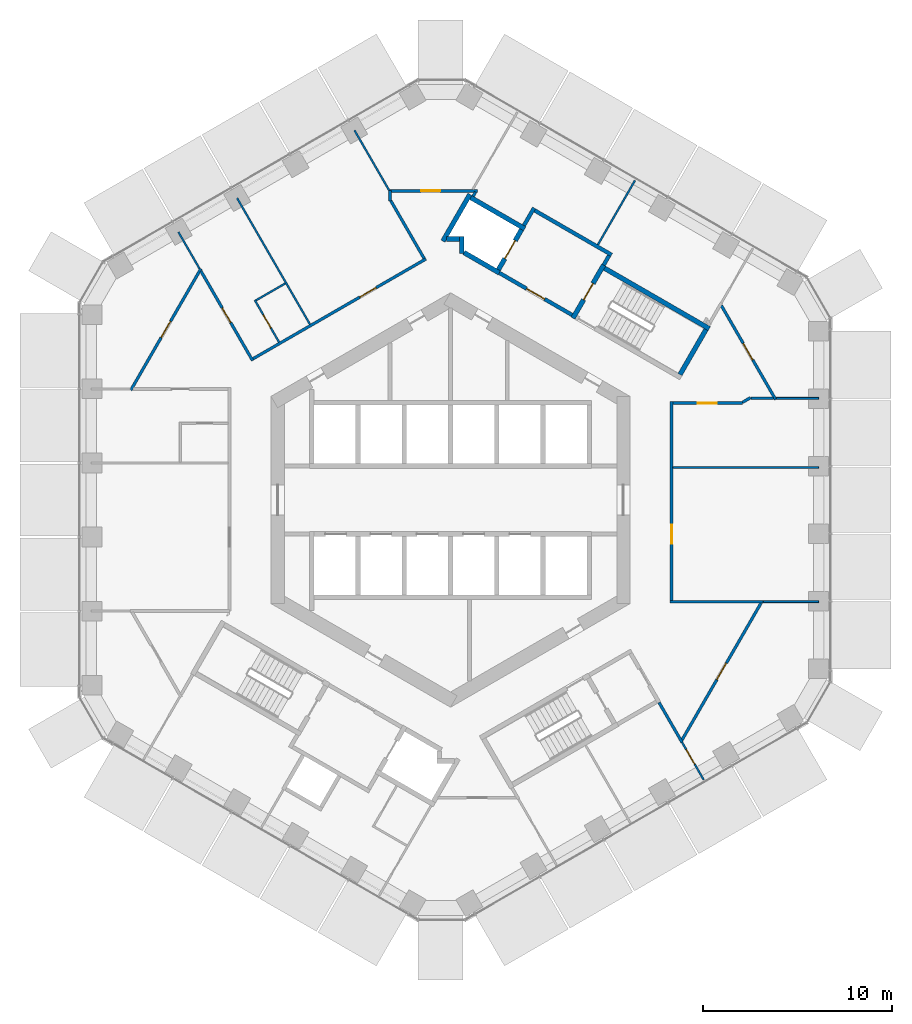
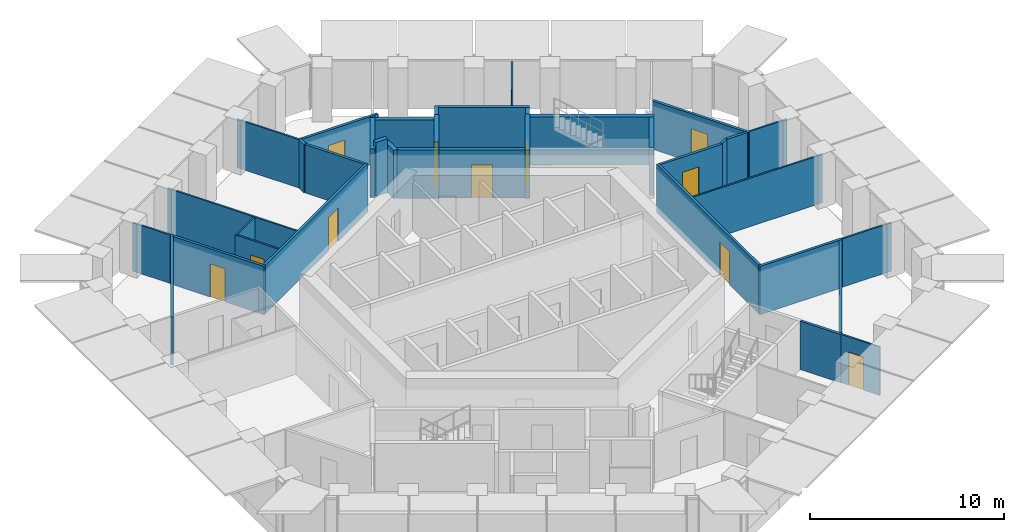
# One storey, part 14 of 18: 38 walls, 13 doors, 13 openings.
"""IFC4 building model written with IfcOpenShell, lengths in metres."""

from ifc_helpers import new_model, si_unit, direction, frame, frame_2d, origin, place, context, subcontext, project, spatial, rectangle, extrude, material, layer, layer_set, type_object, element, fill, save


model = new_model("IFC4")

# Units and contexts
model_context = context("Model", 3, precision=1e-05, world=origin(), true_north=direction((0.0, 1.0)))
body_context = subcontext(model_context, "Body", "Model", "MODEL_VIEW")
ifc_project = project(units=[si_unit("LENGTHUNIT", "METRE"), si_unit("AREAUNIT", "SQUARE_METRE"), si_unit("VOLUMEUNIT", "CUBIC_METRE"), si_unit("PLANEANGLEUNIT", "RADIAN"), si_unit("MASSUNIT", "GRAM", prefix="KILO")], contexts=[model_context])

# Site, building, storey
site_placement = place(None, origin())
site = spatial("IfcSite", under=ifc_project, at=site_placement, CompositionType="ELEMENT")
building_placement = place(site_placement, origin())
building = spatial("IfcBuilding", under=site, at=building_placement, Name="Ayvan Gate Tower", CompositionType="ELEMENT")
storey_placement = place(building_placement, frame((0.0, 0.0, 110.300048828125)))
storey = spatial("IfcBuildingStorey", under=building, at=storey_placement, Name="L29", CompositionType="ELEMENT", Elevation=110.300048828125)

# Wall, opening, door
ifc_material_1 = material(Name="Plasterboard on steel stud", Category="steel")
ifc_layer_1 = layer(ifc_material_1, 0.14990234375)
ifc_layer_set_1 = layer_set([ifc_layer_1], Name="Plasterboard on steel stud")
wall_type_1 = type_object("IfcWallType", Name="WT-CORR-150", PredefinedType="PARTITIONING", material=ifc_layer_set_1)
wall_1_placement = place(storey_placement, frame((-16.924072265625, 5.810302734375, 0.0), z_axis=(0.0, 0.0, 1.0), x_axis=(0.500008780733, 0.866020334166, 0.0)))
wall_1 = element("IfcWall", 1, at=wall_1_placement, inside=storey, type_object=wall_type_1, Name="IW-L29-002", PredefinedType="PARTITIONING", context=body_context, shape_type="SweptSolid", body=[
    extrude(rectangle(XDim=7.429931640625, YDim=0.14990234375, at=frame_2d((3.71484375, 0.0))), origin(), (0.0, 0.0, 1.0), 3.050048828125),
])
opening_1_placement = place(wall_1_placement, frame((3.215087890625, 0.0, 0.0)))
opening_1 = element("IfcOpeningElement", 2, at=opening_1_placement, cuts=wall_1, Name="Opening L29-D23", PredefinedType="OPENING", context=body_context, shape_type="SweptSolid", body=[
    extrude(rectangle(XDim=1.0, YDim=2.10009765625, at=frame_2d((0.5, 1.050048828125))), frame((0.0, 0.0849609375, 0.0), z_axis=(0.0, -1.0, 0.0), x_axis=(1.0, 0.0, 0.0)), (0.0, 0.0, 1.0), 0.169921875),
])
ifc_material_2 = material(Name="Timber door leaf", Category="wood")
door_type_1 = type_object("IfcDoorType", Name="DT-1000", OperationType="NOTDEFINED", PredefinedType="DOOR", material=ifc_material_2)
door_1_placement = place(opening_1_placement, origin())
door_1 = element("IfcDoor", 3, at=door_1_placement, inside=storey, type_object=door_type_1, Name="ID-L29-023", OperationType="SINGLE_SWING_RIGHT", OverallHeight=2.10009765625, OverallWidth=1.0, PredefinedType="DOOR", context=body_context, shape_type="SweptSolid", body=[
    extrude(rectangle(XDim=1.0, YDim=2.10009765625, at=frame_2d((0.5, 1.050048828125))), frame((0.0, 0.02490234375, 0.0), z_axis=(0.0, -1.0, 0.0), x_axis=(1.0, 0.0, 0.0)), (0.0, 0.0, 1.0), 0.050048828125),
])
fill(opening_1, door_1)

wall_2_placement = place(storey_placement, frame((-13.208984375, 12.114990234375, 0.0), z_axis=(0.0, 0.0, 1.0), x_axis=(0.499992837287, -0.866029539139, 0.0)))
wall_2 = element("IfcWall", 4, at=wall_2_placement, inside=storey, type_object=wall_type_1, Name="IW-L29-011", PredefinedType="PARTITIONING", context=body_context, shape_type="SweptSolid", body=[
    extrude(rectangle(XDim=5.47119140625, YDim=0.14990234375, at=frame_2d((2.735595703125, 0.0))), origin(), (0.0, 0.0, 1.0), 3.050048828125),
])
opening_2_placement = place(wall_2_placement, frame((2.248291015625, 0.0, 0.0)))
opening_2 = element("IfcOpeningElement", 5, at=opening_2_placement, cuts=wall_2, Name="Opening L29-D36", PredefinedType="OPENING", context=body_context, shape_type="SweptSolid", body=[
    extrude(rectangle(XDim=0.89990234375, YDim=2.10009765625, at=frame_2d((0.449951171875, 1.050048828125))), frame((0.0, 0.0849609375, 0.0), z_axis=(0.0, -1.0, 0.0), x_axis=(1.0, 0.0, 0.0)), (0.0, 0.0, 1.0), 0.169921875),
])
door_type_2 = type_object("IfcDoorType", Name="DT-900", OperationType="NOTDEFINED", PredefinedType="DOOR", material=ifc_material_2)
door_2_placement = place(opening_2_placement, origin())
door_2 = element("IfcDoor", 6, at=door_2_placement, inside=storey, type_object=door_type_2, Name="ID-L29-036", OperationType="SINGLE_SWING_LEFT", OverallHeight=2.10009765625, OverallWidth=0.89990234375, PredefinedType="DOOR", context=body_context, shape_type="SweptSolid", body=[
    extrude(rectangle(XDim=0.89990234375, YDim=2.10009765625, at=frame_2d((0.449951171875, 1.050048828125))), frame((0.0, 0.02490234375, 0.0), z_axis=(0.0, -1.0, 0.0), x_axis=(1.0, 0.0, 0.0)), (0.0, 0.0, 1.0), 0.050048828125),
])
fill(opening_2, door_2)

wall_3_placement = place(storey_placement, frame((-10.44580078125, 7.47900390625, 0.0), z_axis=(0.0, 0.0, 1.0), x_axis=(0.866020092673, 0.500009199002, 0.0)))
wall_3 = element("IfcWall", 7, at=wall_3_placement, inside=storey, type_object=wall_type_1, Name="IW-L29-016", PredefinedType="PARTITIONING", context=body_context, shape_type="SweptSolid", body=[
    extrude(rectangle(XDim=10.563720703125, YDim=0.14990234375, at=frame_2d((5.28173828125, 0.0))), origin(), (0.0, 0.0, 1.0), 3.050048828125),
])
opening_3_placement = place(wall_3_placement, frame((6.515869140625, 0.0, 0.0)))
opening_3 = element("IfcOpeningElement", 8, at=opening_3_placement, cuts=wall_3, Name="Opening L29-D35", PredefinedType="OPENING", context=body_context, shape_type="SweptSolid", body=[
    extrude(rectangle(XDim=1.0, YDim=2.10009765625, at=frame_2d((0.5, 1.050048828125))), frame((0.0, 0.0849609375, 0.0), z_axis=(0.0, -1.0, 0.0), x_axis=(1.0, 0.0, 0.0)), (0.0, 0.0, 1.0), 0.169921875),
])
door_3_placement = place(opening_3_placement, origin())
door_3 = element("IfcDoor", 9, at=door_3_placement, inside=storey, type_object=door_type_1, Name="ID-L29-035", OperationType="SINGLE_SWING_RIGHT", OverallHeight=2.10009765625, OverallWidth=1.0, PredefinedType="DOOR", context=body_context, shape_type="SweptSolid", body=[
    extrude(rectangle(XDim=1.0, YDim=2.10009765625, at=frame_2d((0.5, 1.050048828125))), frame((0.0, 0.02490234375, 0.0), z_axis=(0.0, -1.0, 0.0), x_axis=(1.0, 0.0, 0.0)), (0.0, 0.0, 1.0), 0.050048828125),
])
fill(opening_3, door_3)

# Wall
wall_4_placement = place(storey_placement, frame((-3.199951171875, 15.831298828125, 0.0), z_axis=(0.0, 0.0, 1.0), x_axis=(0.0, 1.0, 0.0)))
element("IfcWall", 10, at=wall_4_placement, inside=storey, type_object=wall_type_1, Name="IW-L29-044", PredefinedType="PARTITIONING", context=body_context, shape_type="SweptSolid", body=[
    extrude(rectangle(XDim=0.5498046875, YDim=0.14990234375, at=frame_2d((0.27490234375, 0.0))), origin(), (0.0, 0.0, 1.0), 3.050048828125),
])

# Wall, opening, door
wall_5_placement = place(storey_placement, frame((-3.199951171875, 16.36279296875, 0.0), z_axis=(0.0, 0.0, 1.0), x_axis=(1.0, 0.0, 0.0)))
wall_5 = element("IfcWall", 11, at=wall_5_placement, inside=storey, type_object=wall_type_1, Name="IW-L29-046", PredefinedType="PARTITIONING", context=body_context, shape_type="SweptSolid", body=[
    extrude(rectangle(XDim=4.63916015625, YDim=0.14990234375, at=frame_2d((2.319580078125, 0.0))), origin(), (0.0, 0.0, 1.0), 3.050048828125),
])
opening_4_placement = place(wall_5_placement, frame((1.650390625, 0.0, 0.0)))
opening_4 = element("IfcOpeningElement", 12, at=opening_4_placement, cuts=wall_5, Name="Opening L29-D21", PredefinedType="OPENING", context=body_context, shape_type="SweptSolid", body=[
    extrude(rectangle(XDim=1.0, YDim=2.10009765625, at=frame_2d((0.5, 1.050048828125))), frame((0.0, 0.0849609375, 0.0), z_axis=(0.0, -1.0, 0.0), x_axis=(1.0, 0.0, 0.0)), (0.0, 0.0, 1.0), 0.169921875),
])
door_4_placement = place(opening_4_placement, origin())
door_4 = element("IfcDoor", 13, at=door_4_placement, inside=storey, type_object=door_type_1, Name="ID-L29-021", OperationType="SINGLE_SWING_RIGHT", OverallHeight=2.10009765625, OverallWidth=1.0, PredefinedType="DOOR", context=body_context, shape_type="SweptSolid", body=[
    extrude(rectangle(XDim=1.0, YDim=2.10009765625, at=frame_2d((0.5, 1.050048828125))), frame((0.0, 0.02490234375, 0.0), z_axis=(0.0, -1.0, 0.0), x_axis=(1.0, 0.0, 0.0)), (0.0, 0.0, 1.0), 0.050048828125),
])
fill(opening_4, door_4)

# Walls
wall_6_placement = place(storey_placement, frame((-1.39990234375, 12.788330078125, 0.0), z_axis=(0.0, 0.0, 1.0), x_axis=(-0.500012199891, 0.86601836006, 0.0)))
element("IfcWall", 14, at=wall_6_placement, inside=storey, type_object=wall_type_1, Name="IW-L29-053", PredefinedType="PARTITIONING", context=body_context, shape_type="SweptSolid", body=[
    extrude(rectangle(XDim=3.525390625, YDim=0.14990234375, at=frame_2d((1.7626953125, 0.0))), origin(), (0.0, 0.0, 1.0), 3.050048828125),
])
wall_7_placement = place(storey_placement, frame((1.32666015625, 16.2978515625, 0.0), z_axis=(0.0, 0.0, 1.0), x_axis=(-0.500502949238, -0.865734831114, 0.0)))
element("IfcWall", 15, at=wall_7_placement, inside=storey, type_object=wall_type_1, Name="IW-L29-065", PredefinedType="PARTITIONING", context=body_context, shape_type="SweptSolid", body=[
    extrude(rectangle(XDim=0.252685546875, YDim=0.14990234375, at=frame_2d((0.12646484375, 0.0))), origin(), (0.0, 0.0, 1.0), 3.050048828125),
])
wall_8_placement = place(storey_placement, frame((11.625, -5.3818359375, 0.0), z_axis=(0.0, 0.0, 1.0), x_axis=(1.0, 0.0, 0.0)))
element("IfcWall", 16, at=wall_8_placement, inside=storey, type_object=wall_type_1, Name="IW-L29-096", PredefinedType="PARTITIONING", context=body_context, shape_type="SweptSolid", body=[
    extrude(rectangle(XDim=4.9287109375, YDim=0.14990234375, at=frame_2d((2.46435546875, 0.0))), origin(), (0.0, 0.0, 1.0), 3.050048828125),
])

# Wall, opening, door
wall_9_placement = place(storey_placement, frame((11.699951171875, -5.306884765625, 0.0), z_axis=(0.0, 0.0, 1.0), x_axis=(0.0, 1.0, 0.0)))
wall_9 = element("IfcWall", 17, at=wall_9_placement, inside=storey, type_object=wall_type_1, Name="IW-L29-097", PredefinedType="PARTITIONING", context=body_context, shape_type="SweptSolid", body=[
    extrude(rectangle(XDim=10.513671875, YDim=0.14990234375, at=frame_2d((5.2568359375, 0.0))), origin(), (0.0, 0.0, 1.0), 3.050048828125),
])
opening_5_placement = place(wall_9_placement, frame((2.99951171875, 0.0, 0.0)))
opening_5 = element("IfcOpeningElement", 18, at=opening_5_placement, cuts=wall_9, Name="Opening L29-D17", PredefinedType="OPENING", context=body_context, shape_type="SweptSolid", body=[
    extrude(rectangle(XDim=1.0, YDim=2.10009765625, at=frame_2d((0.5, 1.050048828125))), frame((0.0, 0.0849609375, 0.0), z_axis=(0.0, -1.0, 0.0), x_axis=(1.0, 0.0, 0.0)), (0.0, 0.0, 1.0), 0.169921875),
])
door_5_placement = place(opening_5_placement, origin())
door_5 = element("IfcDoor", 19, at=door_5_placement, inside=storey, type_object=door_type_1, Name="ID-L29-017", OperationType="SINGLE_SWING_RIGHT", OverallHeight=2.10009765625, OverallWidth=1.0, PredefinedType="DOOR", context=body_context, shape_type="SweptSolid", body=[
    extrude(rectangle(XDim=1.0, YDim=2.10009765625, at=frame_2d((0.5, 1.050048828125))), frame((0.0, 0.02490234375, 0.0), z_axis=(0.0, -1.0, 0.0), x_axis=(1.0, 0.0, 0.0)), (0.0, 0.0, 1.0), 0.050048828125),
])
fill(opening_5, door_5)

# Wall
wall_10_placement = place(storey_placement, frame((12.25537109375, -12.82666015625, 0.0), z_axis=(0.0, 0.0, 1.0), x_axis=(-0.500008743658, 0.866020355572, 0.0)))
element("IfcWall", 20, at=wall_10_placement, inside=storey, type_object=wall_type_1, Name="IW-L29-100", PredefinedType="PARTITIONING", context=body_context, shape_type="SweptSolid", body=[
    extrude(rectangle(XDim=2.43603515625, YDim=0.14990234375, at=frame_2d((1.218017578125, 0.0))), origin(), (0.0, 0.0, 1.0), 3.050048828125),
])

# Wall, opening, door
wall_11_placement = place(storey_placement, frame((14.333740234375, 10.296875, 0.0), z_axis=(0.0, 0.0, 1.0), x_axis=(0.500006661652, -0.866021557644, 0.0)))
wall_11 = element("IfcWall", 21, at=wall_11_placement, inside=storey, type_object=wall_type_1, Name="IW-L29-107", PredefinedType="PARTITIONING", context=body_context, shape_type="SweptSolid", body=[
    extrude(rectangle(XDim=5.75048828125, YDim=0.14990234375, at=frame_2d((2.875244140625, 0.0))), origin(), (0.0, 0.0, 1.0), 3.050048828125),
])
opening_6_placement = place(wall_11_placement, frame((2.3203125, 0.0, 0.0)))
opening_6 = element("IfcOpeningElement", 22, at=opening_6_placement, cuts=wall_11, Name="Opening L29-D19", PredefinedType="OPENING", context=body_context, shape_type="SweptSolid", body=[
    extrude(rectangle(XDim=1.0, YDim=2.10009765625, at=frame_2d((0.5, 1.050048828125))), frame((0.0, 0.0849609375, 0.0), z_axis=(0.0, -1.0, 0.0), x_axis=(1.0, 0.0, 0.0)), (0.0, 0.0, 1.0), 0.169921875),
])
door_6_placement = place(opening_6_placement, origin())
door_6 = element("IfcDoor", 23, at=door_6_placement, inside=storey, type_object=door_type_1, Name="ID-L29-019", OperationType="SINGLE_SWING_RIGHT", OverallHeight=2.10009765625, OverallWidth=1.0, PredefinedType="DOOR", context=body_context, shape_type="SweptSolid", body=[
    extrude(rectangle(XDim=1.0, YDim=2.10009765625, at=frame_2d((0.5, 1.050048828125))), frame((0.0, 0.02490234375, 0.0), z_axis=(0.0, -1.0, 0.0), x_axis=(1.0, 0.0, 0.0)), (0.0, 0.0, 1.0), 0.050048828125),
])
fill(opening_6, door_6)

wall_12_placement = place(storey_placement, frame((15.463623046875, 5.1318359375, 0.0), z_axis=(0.0, 0.0, 1.0), x_axis=(-1.0, 0.0, 0.0)))
wall_12 = element("IfcWall", 24, at=wall_12_placement, inside=storey, type_object=wall_type_1, Name="IW-L29-108", PredefinedType="PARTITIONING", context=body_context, shape_type="SweptSolid", body=[
    extrude(rectangle(XDim=3.688720703125, YDim=0.14990234375, at=frame_2d((1.84423828125, 0.0))), origin(), (0.0, 0.0, 1.0), 3.050048828125),
])
opening_7_placement = place(wall_12_placement, frame((1.3818359375, 0.0, 0.0)))
opening_7 = element("IfcOpeningElement", 25, at=opening_7_placement, cuts=wall_12, Name="Opening L29-D18", PredefinedType="OPENING", context=body_context, shape_type="SweptSolid", body=[
    extrude(rectangle(XDim=1.0, YDim=2.10009765625, at=frame_2d((0.5, 1.050048828125))), frame((0.0, 0.0849609375, 0.0), z_axis=(0.0, -1.0, 0.0), x_axis=(1.0, 0.0, 0.0)), (0.0, 0.0, 1.0), 0.169921875),
])
door_7_placement = place(opening_7_placement, origin())
door_7 = element("IfcDoor", 26, at=door_7_placement, inside=storey, type_object=door_type_1, Name="ID-L29-018", OperationType="SINGLE_SWING_LEFT", OverallHeight=2.10009765625, OverallWidth=1.0, PredefinedType="DOOR", context=body_context, shape_type="SweptSolid", body=[
    extrude(rectangle(XDim=1.0, YDim=2.10009765625, at=frame_2d((0.5, 1.050048828125))), frame((0.0, 0.02490234375, 0.0), z_axis=(0.0, -1.0, 0.0), x_axis=(1.0, 0.0, 0.0)), (0.0, 0.0, 1.0), 0.050048828125),
])
fill(opening_7, door_7)

# Wall
wall_13_placement = place(storey_placement, frame((15.88671875, 5.419189453125, 0.0), z_axis=(0.0, 0.0, 1.0), x_axis=(-0.866071776036, -0.499919672301, 0.0)))
element("IfcWall", 27, at=wall_13_placement, inside=storey, type_object=wall_type_1, Name="IW-L29-109", PredefinedType="PARTITIONING", context=body_context, shape_type="SweptSolid", body=[
    extrude(rectangle(XDim=0.5, YDim=0.14990234375, at=frame_2d((0.25, 0.0))), origin(), (0.0, 0.0, 1.0), 3.050048828125),
])

# Wall, opening, door
wall_14_placement = place(storey_placement, frame((16.441162109375, -5.44677734375, 0.0), z_axis=(0.0, 0.0, 1.0), x_axis=(-0.500000140117, -0.866025322888, 0.0)))
wall_14 = element("IfcWall", 28, at=wall_14_placement, inside=storey, type_object=wall_type_1, Name="IW-L29-110", PredefinedType="PARTITIONING", context=body_context, shape_type="SweptSolid", body=[
    extrude(rectangle(XDim=8.37158203125, YDim=0.14990234375, at=frame_2d((4.185791015625, 0.0))), origin(), (0.0, 0.0, 1.0), 3.050048828125),
])
opening_8_placement = place(wall_14_placement, frame((3.685791015625, 0.0, 0.0)))
opening_8 = element("IfcOpeningElement", 29, at=opening_8_placement, cuts=wall_14, Name="Opening L29-D33", PredefinedType="OPENING", context=body_context, shape_type="SweptSolid", body=[
    extrude(rectangle(XDim=1.0, YDim=2.10009765625, at=frame_2d((0.5, 1.050048828125))), frame((0.0, 0.0849609375, 0.0), z_axis=(0.0, -1.0, 0.0), x_axis=(1.0, 0.0, 0.0)), (0.0, 0.0, 1.0), 0.169921875),
])
door_8_placement = place(opening_8_placement, origin())
door_8 = element("IfcDoor", 30, at=door_8_placement, inside=storey, type_object=door_type_1, Name="ID-L29-033", OperationType="SINGLE_SWING_RIGHT", OverallHeight=2.10009765625, OverallWidth=1.0, PredefinedType="DOOR", context=body_context, shape_type="SweptSolid", body=[
    extrude(rectangle(XDim=1.0, YDim=2.10009765625, at=frame_2d((0.5, 1.050048828125))), frame((0.0, 0.02490234375, 0.0), z_axis=(0.0, -1.0, 0.0), x_axis=(1.0, 0.0, 0.0)), (0.0, 0.0, 1.0), 0.050048828125),
])
fill(opening_8, door_8)

# Walls
wall_15_placement = place(storey_placement, frame((17.096435546875, 5.3818359375, 0.0), z_axis=(0.0, 0.0, 1.0), x_axis=(-1.0, 0.0, 0.0)))
element("IfcWall", 31, at=wall_15_placement, inside=storey, type_object=wall_type_1, Name="IW-L29-112", PredefinedType="PARTITIONING", context=body_context, shape_type="SweptSolid", body=[
    extrude(rectangle(XDim=1.199951171875, YDim=0.14990234375, at=frame_2d((0.60009765625, 0.0))), origin(), (0.0, 0.0, 1.0), 3.050048828125),
])
ifc_layer_2 = layer(ifc_material_1, 0.10009765625)
ifc_layer_set_2 = layer_set([ifc_layer_2], Name="Plasterboard on steel stud")
wall_type_2 = type_object("IfcWallType", Name="WT-PART-100", PredefinedType="PARTITIONING", material=ifc_layer_set_2)
wall_16_placement = place(storey_placement, frame((-14.403564453125, 14.18408203125, 0.0), z_axis=(0.0, 0.0, 1.0), x_axis=(0.500008734195, -0.866020361036, 0.0)))
element("IfcWall", 32, at=wall_16_placement, inside=storey, type_object=wall_type_2, Name="IW-L29-004", PredefinedType="PARTITIONING", context=body_context, shape_type="SweptSolid", body=[
    extrude(rectangle(XDim=2.2392578125, YDim=0.10009765625, at=frame_2d((1.11962890625, 0.0))), origin(), (0.0, 0.0, 1.0), 3.050048828125),
])

# Wall, opening, door
wall_17_placement = place(storey_placement, frame((-10.363525390625, 10.58642578125, 0.0), z_axis=(0.0, 0.0, 1.0), x_axis=(0.499963209246, -0.866046643894, 0.0)))
wall_17 = element("IfcWall", 33, at=wall_17_placement, inside=storey, type_object=wall_type_2, Name="IW-L29-017", PredefinedType="PARTITIONING", context=body_context, shape_type="SweptSolid", body=[
    extrude(rectangle(XDim=2.574951171875, YDim=0.10009765625, at=frame_2d((1.28759765625, 0.0))), origin(), (0.0, 0.0, 1.0), 3.050048828125),
])
opening_9_placement = place(wall_17_placement, frame((0.91259765625, 0.0, 0.0)))
opening_9 = element("IfcOpeningElement", 34, at=opening_9_placement, cuts=wall_17, Name="Opening L29-D37", PredefinedType="OPENING", context=body_context, shape_type="SweptSolid", body=[
    extrude(rectangle(XDim=0.800048828125, YDim=2.10009765625, at=frame_2d((0.39990234375, 1.050048828125))), frame((0.0, 0.06005859375, 0.0), z_axis=(0.0, -1.0, 0.0), x_axis=(1.0, 0.0, 0.0)), (0.0, 0.0, 1.0), 0.1201171875),
])
door_type_3 = type_object("IfcDoorType", Name="DT-800", OperationType="NOTDEFINED", PredefinedType="DOOR", material=ifc_material_2)
door_9_placement = place(opening_9_placement, origin())
door_9 = element("IfcDoor", 35, at=door_9_placement, inside=storey, type_object=door_type_3, Name="ID-L29-037", OperationType="SINGLE_SWING_RIGHT", OverallHeight=2.10009765625, OverallWidth=0.800048828125, PredefinedType="DOOR", context=body_context, shape_type="SweptSolid", body=[
    extrude(rectangle(XDim=0.800048828125, YDim=2.10009765625, at=frame_2d((0.39990234375, 1.050048828125))), frame((0.0, 0.02490234375, 0.0), z_axis=(0.0, -1.0, 0.0), x_axis=(1.0, 0.0, 0.0)), (0.0, 0.0, 1.0), 0.050048828125),
])
fill(opening_9, door_9)

# Walls
wall_18_placement = place(storey_placement, frame((-8.746826171875, 11.462158203125, 0.0), z_axis=(0.0, 0.0, 1.0), x_axis=(-0.866033252409, -0.499986405537, 0.0)))
element("IfcWall", 36, at=wall_18_placement, inside=storey, type_object=wall_type_2, Name="IW-L29-020", PredefinedType="PARTITIONING", context=body_context, shape_type="SweptSolid", body=[
    extrude(rectangle(XDim=1.7880859375, YDim=0.10009765625, at=frame_2d((0.89404296875, 0.0))), origin(), (0.0, 0.0, 1.0), 3.050048828125),
])
wall_19_placement = place(storey_placement, frame((-11.29638671875, 15.97802734375, 0.0), z_axis=(0.0, 0.0, 1.0), x_axis=(0.499997453958, -0.866026873738, 0.0)))
element("IfcWall", 37, at=wall_19_placement, inside=storey, type_object=wall_type_2, Name="IW-L29-021", PredefinedType="PARTITIONING", context=body_context, shape_type="SweptSolid", body=[
    extrude(rectangle(XDim=7.71044921875, YDim=0.10009765625, at=frame_2d((3.855224609375, 0.0))), origin(), (0.0, 0.0, 1.0), 3.050048828125),
])
wall_20_placement = place(storey_placement, frame((-3.232177734375, 16.36181640625, 0.0), z_axis=(0.0, 0.0, 1.0), x_axis=(-0.499992827086, 0.866029545028, 0.0)))
element("IfcWall", 38, at=wall_20_placement, inside=storey, type_object=wall_type_2, Name="IW-L29-042", PredefinedType="PARTITIONING", context=body_context, shape_type="SweptSolid", body=[
    extrude(rectangle(XDim=3.69970703125, YDim=0.10009765625, at=frame_2d((1.849853515625, 0.0))), origin(), (0.0, 0.0, 1.0), 3.050048828125),
])
wall_21_placement = place(storey_placement, frame((7.800048828125, 13.510009765625, 0.0), z_axis=(0.0, 0.0, 1.0), x_axis=(0.499985832843, 0.866033583042, 0.0)))
element("IfcWall", 39, at=wall_21_placement, inside=storey, type_object=wall_type_2, Name="IW-L29-090", PredefinedType="PARTITIONING", context=body_context, shape_type="SweptSolid", body=[
    extrude(rectangle(XDim=3.931640625, YDim=0.10009765625, at=frame_2d((1.9658203125, 0.0))), origin(), (0.0, 0.0, 1.0), 3.050048828125),
])
wall_22_placement = place(storey_placement, frame((11.77490234375, 1.72216796875, 0.0), z_axis=(0.0, 0.0, 1.0), x_axis=(1.0, 0.0, 0.0)))
element("IfcWall", 40, at=wall_22_placement, inside=storey, type_object=wall_type_2, Name="IW-L29-098", PredefinedType="PARTITIONING", context=body_context, shape_type="SweptSolid", body=[
    extrude(rectangle(XDim=7.710693359375, YDim=0.10009765625, at=frame_2d((3.85546875, 0.0))), origin(), (0.0, 0.0, 1.0), 3.050048828125),
])

# Wall, opening, door
wall_23_placement = place(storey_placement, frame((13.4033203125, -14.81494140625, 0.0), z_axis=(0.0, 0.0, 1.0), x_axis=(-0.500004737999, 0.866022668282, 0.0)))
wall_23 = element("IfcWall", 41, at=wall_23_placement, inside=storey, type_object=wall_type_2, Name="IW-L29-101", PredefinedType="PARTITIONING", context=body_context, shape_type="SweptSolid", body=[
    extrude(rectangle(XDim=2.2958984375, YDim=0.10009765625, at=frame_2d((1.14794921875, 0.0))), origin(), (0.0, 0.0, 1.0), 3.050048828125),
])
opening_10_placement = place(wall_23_placement, frame((0.95849609375, 0.0, 0.0)))
opening_10 = element("IfcOpeningElement", 42, at=opening_10_placement, cuts=wall_23, Name="Opening L29-D34", PredefinedType="OPENING", context=body_context, shape_type="SweptSolid", body=[
    extrude(rectangle(XDim=0.89990234375, YDim=2.10009765625, at=frame_2d((0.449951171875, 1.050048828125))), frame((0.0, 0.06005859375, 0.0), z_axis=(0.0, -1.0, 0.0), x_axis=(1.0, 0.0, 0.0)), (0.0, 0.0, 1.0), 0.1201171875),
])
door_10_placement = place(opening_10_placement, origin())
door_10 = element("IfcDoor", 43, at=door_10_placement, inside=storey, type_object=door_type_2, Name="ID-L29-034", OperationType="SINGLE_SWING_LEFT", OverallHeight=2.10009765625, OverallWidth=0.89990234375, PredefinedType="DOOR", context=body_context, shape_type="SweptSolid", body=[
    extrude(rectangle(XDim=0.89990234375, YDim=2.10009765625, at=frame_2d((0.449951171875, 1.050048828125))), frame((0.0, 0.02490234375, 0.0), z_axis=(0.0, -1.0, 0.0), x_axis=(1.0, 0.0, 0.0)), (0.0, 0.0, 1.0), 0.050048828125),
])
fill(opening_10, door_10)

# Walls
wall_24_placement = place(storey_placement, frame((17.246337890625, 5.3818359375, 0.0), z_axis=(0.0, 0.0, 1.0), x_axis=(1.0, 0.0, 0.0)))
element("IfcWall", 44, at=wall_24_placement, inside=storey, type_object=wall_type_2, Name="IW-L29-111", PredefinedType="PARTITIONING", context=body_context, shape_type="SweptSolid", body=[
    extrude(rectangle(XDim=2.2392578125, YDim=0.10009765625, at=frame_2d((1.11962890625, 0.0))), origin(), (0.0, 0.0, 1.0), 3.050048828125),
])
wall_25_placement = place(storey_placement, frame((19.485595703125, -5.3818359375, 0.0), z_axis=(0.0, 0.0, 1.0), x_axis=(-1.0, 0.0, 0.0)))
element("IfcWall", 45, at=wall_25_placement, inside=storey, type_object=wall_type_2, Name="IW-L29-113", PredefinedType="PARTITIONING", context=body_context, shape_type="SweptSolid", body=[
    extrude(rectangle(XDim=2.931884765625, YDim=0.10009765625, at=frame_2d((1.4658203125, 0.0))), origin(), (0.0, 0.0, 1.0), 3.050048828125),
])
ifc_layer_3 = layer(ifc_material_1, 0.199951171875)
ifc_layer_set_3 = layer_set([ifc_layer_3], Name="Plasterboard on steel stud")
wall_type_3 = type_object("IfcWallType", Name="WT-RATED-200", PredefinedType="PARTITIONING", material=ifc_layer_set_3)
wall_26_placement = place(storey_placement, frame((3.885009765625, 14.52880859375, 0.0), z_axis=(0.0, 0.0, 1.0), x_axis=(0.499997628298, 0.866026773083, 0.0)))
element("IfcWall", 46, at=wall_26_placement, inside=storey, type_object=wall_type_3, Name="IW-L29-077", PredefinedType="PARTITIONING", context=body_context, shape_type="SweptSolid", body=[
    extrude(rectangle(XDim=1.0751953125, YDim=0.199951171875, at=frame_2d((0.53759765625, 0.0))), origin(), (0.0, 0.0, 1.0), 3.050048828125),
])
wall_27_placement = place(storey_placement, frame((4.458984375, 15.323486328125, 0.0), z_axis=(0.0, 0.0, 1.0), x_axis=(0.866016039709, -0.500016218704, 0.0)))
element("IfcWall", 47, at=wall_27_placement, inside=storey, type_object=wall_type_3, Name="IW-L29-078", PredefinedType="PARTITIONING", context=body_context, shape_type="SweptSolid", body=[
    extrude(rectangle(XDim=4.699951171875, YDim=0.199951171875, at=frame_2d((2.35009765625, 0.0))), origin(), (0.0, 0.0, 1.0), 3.050048828125),
])

# Wall, opening, door
wall_28_placement = place(storey_placement, frame((6.4345703125, 9.794921875, 0.0), z_axis=(0.0, 0.0, 1.0), x_axis=(-0.866012907634, 0.500021643343, 0.0)))
wall_28 = element("IfcWall", 48, at=wall_28_placement, inside=storey, type_object=wall_type_3, Name="IW-L29-081", PredefinedType="PARTITIONING", context=body_context, shape_type="SweptSolid", body=[
    extrude(rectangle(XDim=4.449951171875, YDim=0.199951171875, at=frame_2d((2.22509765625, 0.0))), origin(), (0.0, 0.0, 1.0), 3.050048828125),
])
opening_11_placement = place(wall_28_placement, frame((1.675048828125, 0.0, 0.0)))
opening_11 = element("IfcOpeningElement", 49, at=opening_11_placement, cuts=wall_28, Name="Opening L29-D08", PredefinedType="OPENING", context=body_context, shape_type="SweptSolid", body=[
    extrude(rectangle(XDim=1.10009765625, YDim=2.10009765625, at=frame_2d((0.550048828125, 1.050048828125))), frame((0.0, 0.10986328125, 0.0), z_axis=(0.0, -1.0, 0.0), x_axis=(1.0, 0.0, 0.0)), (0.0, 0.0, 1.0), 0.219970703125),
])
door_type_4 = type_object("IfcDoorType", Name="DT-1100", OperationType="NOTDEFINED", PredefinedType="DOOR", material=ifc_material_2)
door_11_placement = place(opening_11_placement, origin())
door_11 = element("IfcDoor", 50, at=door_11_placement, inside=storey, type_object=door_type_4, Name="ID-L29-008", OperationType="SINGLE_SWING_LEFT", OverallHeight=2.10009765625, OverallWidth=1.10009765625, PredefinedType="DOOR", context=body_context, shape_type="SweptSolid", body=[
    extrude(rectangle(XDim=1.10009765625, YDim=2.10009765625, at=frame_2d((0.550048828125, 1.050048828125))), frame((0.0, 0.02490234375, 0.0), z_axis=(0.0, -1.0, 0.0), x_axis=(1.0, 0.0, 0.0)), (0.0, 0.0, 1.0), 0.050048828125),
])
fill(opening_11, door_11)

# Walls
wall_29_placement = place(storey_placement, frame((8.392822265625, 12.936767578125, 0.0), z_axis=(0.0, 0.0, 1.0), x_axis=(-0.500065409566, -0.86598763626, 0.0)))
element("IfcWall", 51, at=wall_29_placement, inside=storey, type_object=wall_type_3, Name="IW-L29-092", PredefinedType="PARTITIONING", context=body_context, shape_type="SweptSolid", body=[
    extrude(rectangle(XDim=0.5751953125, YDim=0.199951171875, at=frame_2d((0.28759765625, 0.0))), origin(), (0.0, 0.0, 1.0), 3.050048828125),
])
ifc_material_3 = material(Name="Concrete C50/60", Category="concrete")
ifc_layer_4 = layer(ifc_material_3, 0.25)
ifc_layer_set_4 = layer_set([ifc_layer_4], Name="Concrete C50/60")
wall_type_4 = type_object("IfcWallType", Name="WT-RC-250", PredefinedType="SHEAR", material=ifc_layer_set_4)
wall_30_placement = place(storey_placement, frame((-0.403076171875, 13.70166015625, 0.0), z_axis=(0.0, 0.0, 1.0), x_axis=(0.499976111731, 0.866039195244, 0.0)))
element("IfcWall", 52, at=wall_30_placement, inside=storey, type_object=wall_type_4, Name="IW-L29-057", PredefinedType="SHEAR", context=body_context, shape_type="SweptSolid", body=[
    extrude(rectangle(XDim=2.860595703125, YDim=0.25, at=frame_2d((1.43017578125, 0.0))), origin(), (0.0, 0.0, 1.0), 3.050048828125),
])
wall_31_placement = place(storey_placement, frame((0.60009765625, 13.03857421875, 0.0), z_axis=(0.0, 0.0, 1.0), x_axis=(0.0, 1.0, 0.0)))
element("IfcWall", 53, at=wall_31_placement, inside=storey, type_object=wall_type_4, Name="IW-L29-061", PredefinedType="SHEAR", context=body_context, shape_type="SweptSolid", body=[
    extrude(rectangle(XDim=0.896484375, YDim=0.25, at=frame_2d((0.4482421875, 0.0))), origin(), (0.0, 0.0, 1.0), 3.050048828125),
])
wall_32_placement = place(storey_placement, frame((0.47509765625, 13.81005859375, 0.0), z_axis=(0.0, 0.0, 1.0), x_axis=(-1.0, 0.0, 0.0)))
element("IfcWall", 54, at=wall_32_placement, inside=storey, type_object=wall_type_4, Name="IW-L29-062", PredefinedType="SHEAR", context=body_context, shape_type="SweptSolid", body=[
    extrude(rectangle(XDim=0.690673828125, YDim=0.25, at=frame_2d((0.34521484375, 0.0))), origin(), (0.0, 0.0, 1.0), 3.39990234375),
])
wall_33_placement = place(storey_placement, frame((1.072998046875, 16.00830078125, 0.0), z_axis=(0.0, 0.0, 1.0), x_axis=(0.866040211805, -0.499974350878, 0.0)))
element("IfcWall", 55, at=wall_33_placement, inside=storey, type_object=wall_type_4, Name="IW-L29-063", PredefinedType="SHEAR", context=body_context, shape_type="SweptSolid", body=[
    extrude(rectangle(XDim=3.300048828125, YDim=0.25, at=frame_2d((1.64990234375, 0.0))), origin(), (0.0, 0.0, 1.0), 3.050048828125),
])
wall_34_placement = place(storey_placement, frame((2.580810546875, 12.02001953125, 0.0), z_axis=(0.0, 0.0, 1.0), x_axis=(-0.86603892542, 0.499976579108, 0.0)))
element("IfcWall", 56, at=wall_34_placement, inside=storey, type_object=wall_type_4, Name="IW-L29-069", PredefinedType="SHEAR", context=body_context, shape_type="SweptSolid", body=[
    extrude(rectangle(XDim=2.162109375, YDim=0.25, at=frame_2d((1.0810546875, 0.0))), origin(), (0.0, 0.0, 1.0), 3.050048828125),
])

# Wall, opening, door
wall_35_placement = place(storey_placement, frame((2.534912109375, 12.19091796875, 0.0), z_axis=(0.0, 0.0, 1.0), x_axis=(0.500061746146, 0.865989751695, 0.0)))
wall_35 = element("IfcWall", 57, at=wall_35_placement, inside=storey, type_object=wall_type_4, Name="IW-L29-070", PredefinedType="SHEAR", context=body_context, shape_type="SweptSolid", body=[
    extrude(rectangle(XDim=2.449951171875, YDim=0.25, at=frame_2d((1.22509765625, 0.0))), origin(), (0.0, 0.0, 1.0), 3.39990234375),
])
opening_12_placement = place(wall_35_placement, frame((0.675048828125, 0.0, 0.0)))
opening_12 = element("IfcOpeningElement", 58, at=opening_12_placement, cuts=wall_35, Name="Opening L29-LD-FF1", PredefinedType="OPENING", context=body_context, shape_type="SweptSolid", body=[
    extrude(rectangle(XDim=1.10009765625, YDim=2.10009765625, at=frame_2d((0.550048828125, 1.050048828125))), frame((0.0, 0.135009765625, 0.0), z_axis=(0.0, -1.0, 0.0), x_axis=(1.0, 0.0, 0.0)), (0.0, 0.0, 1.0), 0.27001953125),
])
ifc_material_4 = material(Name="Stainless steel landing door", Category="steel")
door_type_5 = type_object("IfcDoorType", Name="DT-LANDING-1100", OperationType="SLIDING_TO_LEFT", PredefinedType="DOOR", material=ifc_material_4)
door_12_placement = place(opening_12_placement, origin())
door_12 = element("IfcDoor", 59, at=door_12_placement, inside=storey, type_object=door_type_5, Name="ID-L29-009", OperationType="SLIDING_TO_LEFT", OverallHeight=2.10009765625, OverallWidth=1.10009765625, PredefinedType="DOOR", context=body_context, shape_type="SweptSolid", body=[
    extrude(rectangle(XDim=1.10009765625, YDim=2.10009765625, at=frame_2d((0.550048828125, 1.050048828125))), frame((0.0, 0.02490234375, 0.0), z_axis=(0.0, -1.0, 0.0), x_axis=(1.0, 0.0, 0.0)), (0.0, 0.0, 1.0), 0.050048828125),
])
fill(opening_12, door_12)

wall_36_placement = place(storey_placement, frame((6.480224609375, 9.624267578125, 0.0), z_axis=(0.0, 0.0, 1.0), x_axis=(0.500017246033, 0.866015446554, 0.0)))
wall_36 = element("IfcWall", 60, at=wall_36_placement, inside=storey, type_object=wall_type_4, Name="IW-L29-082", PredefinedType="SHEAR", context=body_context, shape_type="SweptSolid", body=[
    extrude(rectangle(XDim=3.25, YDim=0.25, at=frame_2d((1.625, 0.0))), origin(), (0.0, 0.0, 1.0), 3.050048828125),
])
opening_13_placement = place(wall_36_placement, frame((1.125, 0.0, 0.0)))
opening_13 = element("IfcOpeningElement", 61, at=opening_13_placement, cuts=wall_36, Name="Opening L29-D07", PredefinedType="OPENING", context=body_context, shape_type="SweptSolid", body=[
    extrude(rectangle(XDim=1.0, YDim=2.10009765625, at=frame_2d((0.5, 1.050048828125))), frame((0.0, 0.135009765625, 0.0), z_axis=(0.0, -1.0, 0.0), x_axis=(1.0, 0.0, 0.0)), (0.0, 0.0, 1.0), 0.27001953125),
])
door_13_placement = place(opening_13_placement, origin())
door_13 = element("IfcDoor", 62, at=door_13_placement, inside=storey, type_object=door_type_1, Name="ID-L29-007", OperationType="SINGLE_SWING_RIGHT", OverallHeight=2.10009765625, OverallWidth=1.0, PredefinedType="DOOR", context=body_context, shape_type="SweptSolid", body=[
    extrude(rectangle(XDim=1.0, YDim=2.10009765625, at=frame_2d((0.5, 1.050048828125))), frame((0.0, 0.02490234375, 0.0), z_axis=(0.0, -1.0, 0.0), x_axis=(1.0, 0.0, 0.0)), (0.0, 0.0, 1.0), 0.050048828125),
])
fill(opening_13, door_13)

# Walls
wall_37_placement = place(storey_placement, frame((8.151123046875, 12.26806640625, 0.0), z_axis=(0.0, 0.0, 1.0), x_axis=(0.866025499775, -0.499999833739, 0.0)))
element("IfcWall", 63, at=wall_37_placement, inside=storey, type_object=wall_type_4, Name="IW-L29-091", PredefinedType="SHEAR", context=body_context, shape_type="SweptSolid", body=[
    extrude(rectangle(XDim=6.39990234375, YDim=0.25, at=frame_2d((3.199951171875, 0.0))), origin(), (0.0, 0.0, 1.0), 3.050048828125),
])
wall_38_placement = place(storey_placement, frame((13.52294921875, 9.022216796875, 0.0), z_axis=(0.0, 0.0, 1.0), x_axis=(-0.500034990121, -0.866005201286, 0.0)))
element("IfcWall", 64, at=wall_38_placement, inside=storey, type_object=wall_type_4, Name="IW-L29-104", PredefinedType="SHEAR", context=body_context, shape_type="SweptSolid", body=[
    extrude(rectangle(XDim=2.749755859375, YDim=0.25, at=frame_2d((1.375, 0.0))), origin(), (0.0, 0.0, 1.0), 3.050048828125),
])

save(model, "model.ifc")
